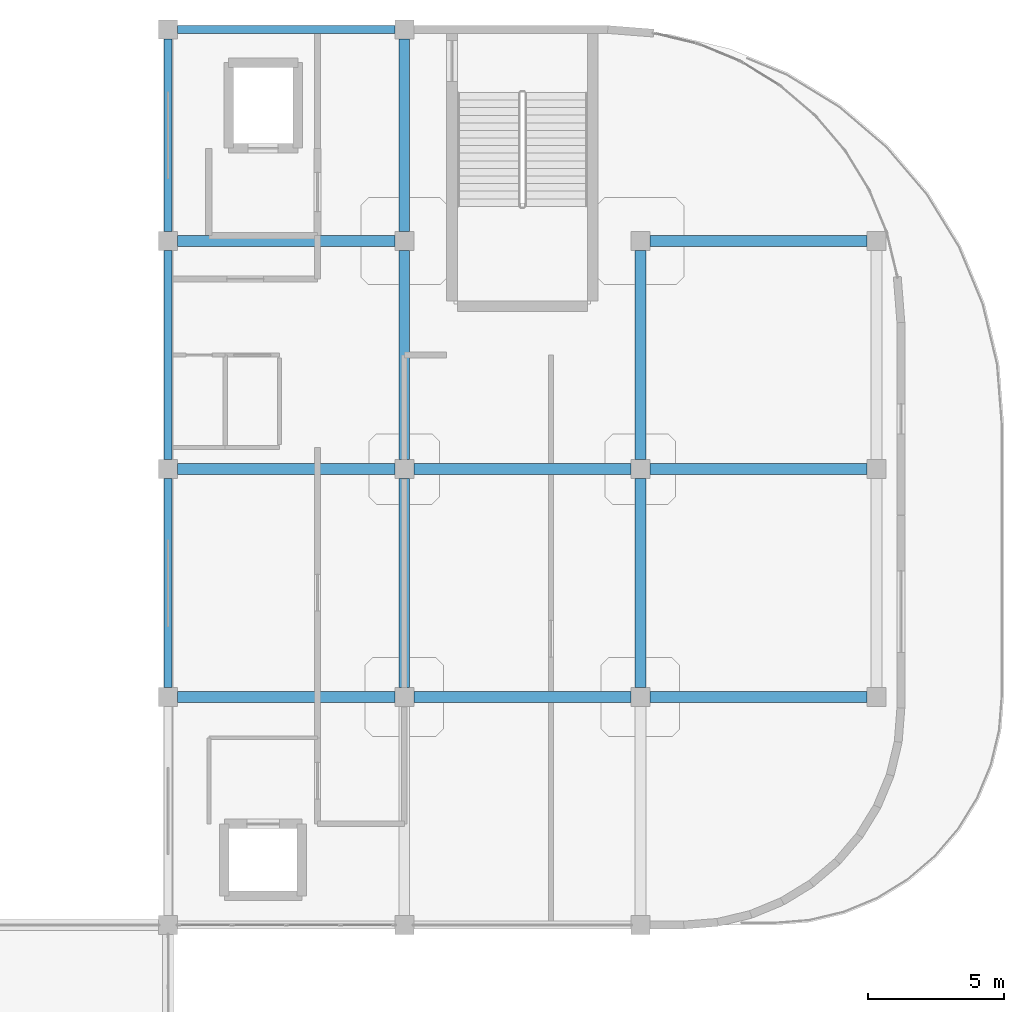
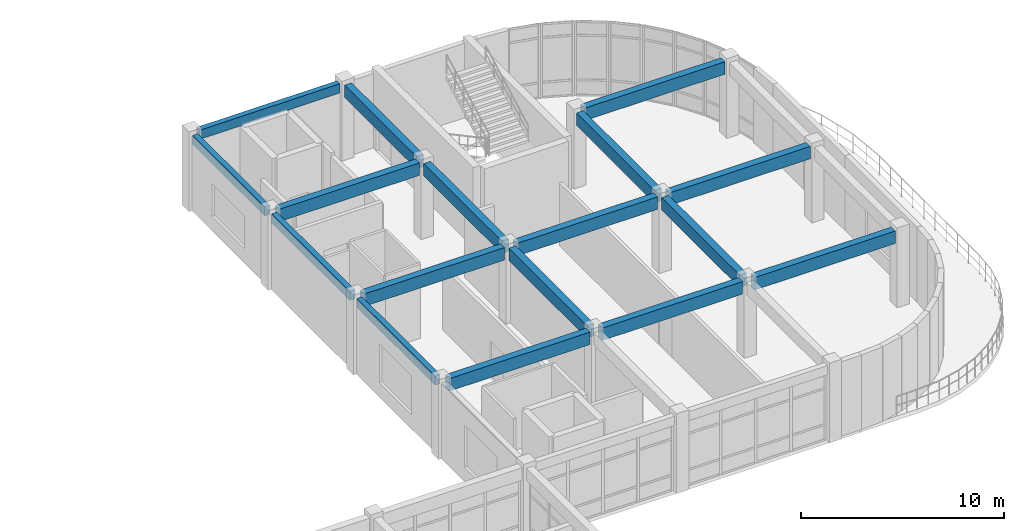
# One storey, part 42 of 64: 17 beams.
"""IFC4 building model written with IfcOpenShell, lengths in metres."""

import ifcopenshell
import ifcopenshell.guid

model = None  # the IFC model being written
_history = None  # IfcOwnerHistory: only IFC2X3 demands one
_inside = {}  # id of a spatial element -> (the spatial element, [elements in it])
_under = {}  # id of a project, library or spatial element -> (it, [spatial elements below it])
_declared = {}  # id of a project -> (the project, [libraries it declares])
_typed = {}  # id of a type object -> (the type object, [elements of that type])
_made_of = {}  # id of a material, layer set ... -> (it, [elements and type objects made of it])


def new_model(schema):
    """Start an empty IFC model of exactly this schema.

    Asked for "IFC4X3", IfcOpenShell would pick the latest addendum, in which some entities
    have other attributes; the version numbers below select the first issue.
    IFC2X3 requires an IfcOwnerHistory on every rooted entity: one is made here for all.
    """
    global model, _history
    if schema == "IFC4X3":
        model = ifcopenshell.file(schema_version=(4, 3, 0, 0))
    else:
        model = ifcopenshell.file(schema=schema)
    _inside.clear()
    _under.clear()
    _declared.clear()
    _typed.clear()
    _made_of.clear()
    _history = None
    if model.schema == "IFC2X3":
        org = make("IfcOrganization", Name="unknown")
        user = make(
            "IfcPersonAndOrganization",
            ThePerson=make("IfcPerson", FamilyName="unknown"),
            TheOrganization=org,
        )
        app = make(
            "IfcApplication",
            ApplicationDeveloper=org,
            Version="unknown",
            ApplicationFullName="unknown",
            ApplicationIdentifier="unknown",
        )
        _history = make(
            "IfcOwnerHistory",
            OwningUser=user,
            OwningApplication=app,
            ChangeAction="ADDED",
            CreationDate=0,
        )
    return model


def make(cls, **values):
    """One entity of the class cls with the attributes given. An attribute that is None is left unset."""
    return model.create_entity(
        cls, **{name: value for name, value in values.items() if value is not None}
    )


def rooted(cls, **values):
    """An entity with a GlobalId (a new one), such as an element, a storey or a relation."""
    return make(cls, GlobalId=ifcopenshell.guid.new(), OwnerHistory=_history, **values)


def si_unit(unit_type, name, prefix=None):
    """IfcSIUnit, for example si_unit("LENGTHUNIT", "METRE", prefix="MILLI")."""
    return make("IfcSIUnit", UnitType=unit_type, Prefix=prefix, Name=name)


def derived_unit(unit_type, elements):
    """IfcDerivedUnit: a product of units, each with its exponent."""
    return make(
        "IfcDerivedUnit",
        Elements=[
            make("IfcDerivedUnitElement", Unit=unit, Exponent=power)
            for unit, power in elements
        ],
        UnitType=unit_type,
    )


def assignment(units):
    """IfcUnitAssignment: the units of a project."""
    return None if units is None else make("IfcUnitAssignment", Units=units)


def point(xyz):
    """IfcCartesianPoint."""
    return None if xyz is None else make("IfcCartesianPoint", Coordinates=xyz)


def direction(xyz):
    """IfcDirection."""
    return None if xyz is None else make("IfcDirection", DirectionRatios=xyz)


def frame(location, z_axis=None, x_axis=None):
    """IfcAxis2Placement3D, a coordinate frame: its origin and axes. An axis left out is left unset."""
    return make(
        "IfcAxis2Placement3D",
        Location=point(location),
        Axis=direction(z_axis),
        RefDirection=direction(x_axis),
    )


def frame_2d(location, x_axis=None):
    """IfcAxis2Placement2D, a coordinate frame in the plane: its origin and x axis."""
    return make(
        "IfcAxis2Placement2D", Location=point(location), RefDirection=direction(x_axis)
    )


def origin():
    """The frame at (0, 0, 0) with its axes left unset."""
    return frame((0.0, 0.0, 0.0))


def origin_2d():
    """The frame at (0, 0) in the plane with its x axis left unset."""
    return frame_2d((0.0, 0.0))


def place(relative_to, where):
    """IfcLocalPlacement: puts the frame where relative to a parent placement (None: the world)."""
    return make(
        "IfcLocalPlacement", PlacementRelTo=relative_to, RelativePlacement=where
    )


def context(
    kind, dimensions, precision=None, world=None, true_north=None, identifier=None
):
    """IfcGeometricRepresentationContext, for example the 3D "Model" context."""
    return make(
        "IfcGeometricRepresentationContext",
        ContextIdentifier=identifier,
        ContextType=kind,
        CoordinateSpaceDimension=dimensions,
        Precision=precision,
        WorldCoordinateSystem=world,
        TrueNorth=true_north,
    )


def subcontext(parent, identifier, kind, view, scale=None):
    """IfcGeometricRepresentationSubContext, for example "Body" below "Model"."""
    return make(
        "IfcGeometricRepresentationSubContext",
        ContextIdentifier=identifier,
        ContextType=kind,
        ParentContext=parent,
        TargetScale=scale,
        TargetView=view,
    )


def project(units=None, contexts=None):
    """IfcProject with its units and contexts."""
    return rooted(
        "IfcProject",
        Name="project",
        RepresentationContexts=contexts,
        UnitsInContext=assignment(units),
    )


def spatial(cls, under=None, at=None, **own):
    """A site, building, storey or space (cls), placed at a placement, below another one or the project."""
    s = rooted(cls, ObjectPlacement=at, **own)
    if under is not None:
        _under.setdefault(under.id(), (under, []))[1].append(s)
    return s


def profile(cls, at=None, kind="AREA", **sizes):
    """A parametric profile (cls). Its sizes go by their IFC names, for example OverallWidth=200.0."""
    return make(cls, ProfileType=kind, Position=at, **sizes)


def rectangle(**sizes):
    """IfcRectangleProfileDef."""
    return profile("IfcRectangleProfileDef", **sizes)


def extrude(swept, where, along, depth):
    """IfcExtrudedAreaSolid: the profile swept, set in the frame where, extruded along a direction by depth."""
    return make(
        "IfcExtrudedAreaSolid",
        SweptArea=swept,
        Position=where,
        ExtrudedDirection=direction(along),
        Depth=depth,
    )


def shape(context_of_items, identifier, shape_type, items):
    """IfcShapeRepresentation: the items that make up one representation, for example the "Body"."""
    return make(
        "IfcShapeRepresentation",
        ContextOfItems=context_of_items,
        RepresentationIdentifier=identifier,
        RepresentationType=shape_type,
        Items=items,
    )


def material(Name=None, Category=None):
    """IfcMaterial."""
    return make("IfcMaterial", Name=Name, Category=Category)


def material_profile(
    of_material, cross_section, Name=None, Category=None, Priority=None
):
    """IfcMaterialProfile: a cross section and its material."""
    return make(
        "IfcMaterialProfile",
        Name=Name,
        Material=of_material,
        Profile=cross_section,
        Priority=Priority,
        Category=Category,
    )


def profile_set(profiles, Name=None, composite=None):
    """IfcMaterialProfileSet."""
    return make(
        "IfcMaterialProfileSet",
        Name=Name,
        MaterialProfiles=profiles,
        CompositeProfile=composite,
    )


def made_of(thing, what):
    """Note that an element or type object is made of a material, layer set ...; save() writes the relation."""
    if what is not None:
        _made_of.setdefault(what.id(), (what, []))[1].append(thing)
    return thing


def type_object(cls, material=None, **own):
    """A type object (cls), such as IfcWallType, which elements share."""
    return made_of(rooted(cls, **own), material)


def element(
    cls,
    number,
    at=None,
    inside=None,
    cuts=None,
    type_object=None,
    material=None,
    context=None,
    identifier="Body",
    shape_type=None,
    held_by="IfcProductDefinitionShape",
    body=None,
    shapes=None,
    **own,
):
    """One element of the class cls, such as IfcWall. Its Tag is "e" and its number.

    at: its placement. inside: the storey or other place that contains it. cuts: it is an
    opening in that element (IfcRelVoidsElement). A single representation is given by context,
    identifier, shape_type and body (its items); several are given by shapes. held_by: the class
    of the entity that holds the representations. save() writes the other relations.
    """
    e = rooted(cls, Tag="e%d" % number, ObjectPlacement=at, **own)
    if body is not None:
        shapes = [shape(context, identifier, shape_type, body)]
    if shapes is not None:
        e.Representation = make(held_by, Representations=shapes)
    if inside is not None:
        _inside.setdefault(inside.id(), (inside, []))[1].append(e)
    if cuts is not None:
        rooted(
            "IfcRelVoidsElement", RelatingBuildingElement=cuts, RelatedOpeningElement=e
        )
    if type_object is not None:
        _typed.setdefault(type_object.id(), (type_object, []))[1].append(e)
    return made_of(e, material)


def aggregate(whole, parts):
    """IfcRelAggregates: a whole, such as a stair, and the parts it consists of."""
    return rooted("IfcRelAggregates", RelatingObject=whole, RelatedObjects=parts)


def save(model, path):
    """Write the relations noted so far, then the file.

    IfcRelAggregates (storeys below a building ...), IfcRelContainedInSpatialStructure (elements
    in a storey), IfcRelDefinesByType, IfcRelAssociatesMaterial and IfcRelDeclares: one each for
    every whole, place, type object, material and project.
    """
    for whole, parts in _under.values():
        aggregate(whole, parts)
    for where, things in _inside.values():
        rooted(
            "IfcRelContainedInSpatialStructure",
            RelatedElements=things,
            RelatingStructure=where,
        )
    for kind, things in _typed.values():
        rooted("IfcRelDefinesByType", RelatedObjects=things, RelatingType=kind)
    for what, things in _made_of.values():
        rooted("IfcRelAssociatesMaterial", RelatedObjects=things, RelatingMaterial=what)
    for by, libraries in _declared.values():
        rooted("IfcRelDeclares", RelatingContext=by, RelatedDefinitions=libraries)
    model.write(path)


model = new_model("IFC4")

# Units and contexts
model_context = context("Model", 3, precision=1e-05, world=origin(), true_north=direction((0.0, 1.0)))
body_context = subcontext(model_context, "Body", "Model", "MODEL_VIEW")
ifc_project = project(units=[si_unit("LENGTHUNIT", "METRE"), si_unit("AREAUNIT", "SQUARE_METRE"), si_unit("VOLUMEUNIT", "CUBIC_METRE"), si_unit("PLANEANGLEUNIT", "RADIAN"), si_unit("MASSUNIT", "GRAM", prefix="KILO"), derived_unit("THERMALTRANSMITTANCEUNIT", [(si_unit("MASSUNIT", "GRAM", prefix="KILO"), 1), (si_unit("TIMEUNIT", "SECOND"), -3), (si_unit("THERMODYNAMICTEMPERATUREUNIT", "KELVIN"), -1)])], contexts=[model_context])

# Site, building, storey
site_placement = place(None, origin())
site = spatial("IfcSite", under=ifc_project, at=site_placement, CompositionType="ELEMENT")
building_placement = place(site_placement, origin())
building = spatial("IfcBuilding", under=site, at=building_placement, Name="Qinzheling Arcade Emporium", CompositionType="ELEMENT")
storey_placement = place(building_placement, frame((0.0, 0.0, 31.5)))
storey = spatial("IfcBuildingStorey", under=building, at=storey_placement, Name="L07", CompositionType="ELEMENT", Elevation=31.5)

# Beams
ifc_material = material(Name="Concrete C40", Category="concrete")
ifc_material_profile_1 = material_profile(ifc_material, rectangle(XDim=0.39990234375, YDim=0.75, at=origin_2d()), Name="RC 400x750", Category="concrete")
ifc_profile_set_1 = profile_set([ifc_material_profile_1], Name="Concrete C40")
beam_type_1 = type_object("IfcBeamType", Name="RC Interior Tie Beam 400x750 C40", PredefinedType="BEAM", material=ifc_profile_set_1)
for number, where, z_axis, x_axis, name in (
    (1, (104.75, 82.199951171875, 4.159912109375), (1.0, 0.0, 0.0), (0.0, 1.0, 0.0), "Beam BM-L07-X-K-13"),
    (2, (113.449951171875, 82.199951171875, 4.159912109375), (1.0, 0.0, 0.0), (0.0, 1.0, 0.0), "Beam BM-L07-X-K-14"),
    (3, (122.14990234375, 82.199951171875, 4.159912109375), (1.0, 0.0, 0.0), (0.0, 1.0, 0.0), "Beam BM-L07-X-K-15"),
    (4, (104.75, 90.60009765625, 4.159912109375), (1.0, 0.0, 0.0), (0.0, 1.0, 0.0), "Beam BM-L07-X-L-13"),
    (5, (113.449951171875, 90.60009765625, 4.159912109375), (1.0, 0.0, 0.0), (0.0, 1.0, 0.0), "Beam BM-L07-X-L-14"),
    (6, (122.14990234375, 90.60009765625, 4.159912109375), (1.0, 0.0, 0.0), (0.0, 1.0, 0.0), "Beam BM-L07-X-L-15"),
    (7, (104.75, 99.0, 4.159912109375), (1.0, 0.0, 0.0), (0.0, 1.0, 0.0), "Beam BM-L07-X-M-13"),
    (8, (122.14990234375, 99.0, 4.159912109375), (1.0, 0.0, 0.0), (0.0, 1.0, 0.0), "Beam BM-L07-X-M-15"),
):
    element("IfcBeam", number, at=place(storey_placement, frame(where, z_axis=z_axis, x_axis=x_axis)), inside=storey, type_object=beam_type_1, Name=name, PredefinedType="BEAM", context=body_context, shape_type="SweptSolid", body=[
        extrude(rectangle(XDim=0.39990234375, YDim=0.75, at=origin_2d()), origin(), (0.0, 0.0, 1.0), 8.0),
    ])
for number, where, z_axis, x_axis, name in (
    (9, (113.10009765625, 82.550048828125, 4.159912109375), (0.0, 1.0, 0.0), (-1.0, 0.0, 0.0), "Beam BM-L07-Y-14-K"),
    (10, (113.10009765625, 90.949951171875, 4.159912109375), (0.0, 1.0, 0.0), (-1.0, 0.0, 0.0), "Beam BM-L07-Y-14-L"),
):
    element("IfcBeam", number, at=place(storey_placement, frame(where, z_axis=z_axis, x_axis=x_axis)), inside=storey, type_object=beam_type_1, Name=name, PredefinedType="BEAM", context=body_context, shape_type="SweptSolid", body=[
        extrude(rectangle(XDim=0.39990234375, YDim=0.75, at=origin_2d()), origin(), (0.0, 0.0, 1.0), 7.699951171875),
    ])
beam_1_placement = place(storey_placement, frame((113.10009765625, 99.35009765625, 4.159912109375), z_axis=(0.0, 1.0, 0.0), x_axis=(-1.0, 0.0, 0.0)))
element("IfcBeam", 11, at=beam_1_placement, inside=storey, type_object=beam_type_1, Name="Beam BM-L07-Y-14-M", PredefinedType="BEAM", context=body_context, shape_type="SweptSolid", body=[
    extrude(rectangle(XDim=0.39990234375, YDim=0.75, at=origin_2d()), origin(), (0.0, 0.0, 1.0), 7.099853515625),
])
for number, where, z_axis, x_axis, name in (
    (12, (121.800048828125, 82.550048828125, 4.159912109375), (0.0, 1.0, 0.0), (-1.0, 0.0, 0.0), "Beam BM-L07-Y-15-K"),
    (13, (121.800048828125, 90.949951171875, 4.159912109375), (0.0, 1.0, 0.0), (-1.0, 0.0, 0.0), "Beam BM-L07-Y-15-L"),
):
    element("IfcBeam", number, at=place(storey_placement, frame(where, z_axis=z_axis, x_axis=x_axis)), inside=storey, type_object=beam_type_1, Name=name, PredefinedType="BEAM", context=body_context, shape_type="SweptSolid", body=[
        extrude(rectangle(XDim=0.39990234375, YDim=0.75, at=origin_2d()), origin(), (0.0, 0.0, 1.0), 7.699951171875),
    ])
ifc_material_profile_2 = material_profile(ifc_material, rectangle(XDim=0.300048828125, YDim=0.550048828125, at=origin_2d()), Name="RC 300x550", Category="concrete")
ifc_profile_set_2 = profile_set([ifc_material_profile_2], Name="Concrete C40")
beam_type_2 = type_object("IfcBeamType", Name="RC Terrace Spandrel Beam 300x550 C40", PredefinedType="SPANDREL", material=ifc_profile_set_2)
beam_2_placement = place(storey_placement, frame((104.75, 106.800048828125, 4.260009765625), z_axis=(1.0, 0.0, 0.0), x_axis=(0.0, 1.0, 0.0)))
element("IfcBeam", 14, at=beam_2_placement, inside=storey, type_object=beam_type_2, Name="Beam BM-L07-X-N-13", PredefinedType="SPANDREL", context=body_context, shape_type="SweptSolid", body=[
    extrude(rectangle(XDim=0.300048828125, YDim=0.550048828125, at=origin_2d()), origin(), (0.0, 0.0, 1.0), 8.0),
])
for number, where, z_axis, x_axis, name in (
    (15, (104.39990234375, 82.550048828125, 4.260009765625), (0.0, 1.0, 0.0), (-1.0, 0.0, 0.0), "Beam BM-L07-Y-13-K"),
    (16, (104.39990234375, 90.949951171875, 4.260009765625), (0.0, 1.0, 0.0), (-1.0, 0.0, 0.0), "Beam BM-L07-Y-13-L"),
):
    element("IfcBeam", number, at=place(storey_placement, frame(where, z_axis=z_axis, x_axis=x_axis)), inside=storey, type_object=beam_type_2, Name=name, PredefinedType="SPANDREL", context=body_context, shape_type="SweptSolid", body=[
        extrude(rectangle(XDim=0.300048828125, YDim=0.550048828125, at=origin_2d()), origin(), (0.0, 0.0, 1.0), 7.699951171875),
    ])
beam_3_placement = place(storey_placement, frame((104.39990234375, 99.35009765625, 4.260009765625), z_axis=(0.0, 1.0, 0.0), x_axis=(-1.0, 0.0, 0.0)))
element("IfcBeam", 17, at=beam_3_placement, inside=storey, type_object=beam_type_2, Name="Beam BM-L07-Y-13-M", PredefinedType="SPANDREL", context=body_context, shape_type="SweptSolid", body=[
    extrude(rectangle(XDim=0.300048828125, YDim=0.550048828125, at=origin_2d()), origin(), (0.0, 0.0, 1.0), 7.099853515625),
])

save(model, "model.ifc")
